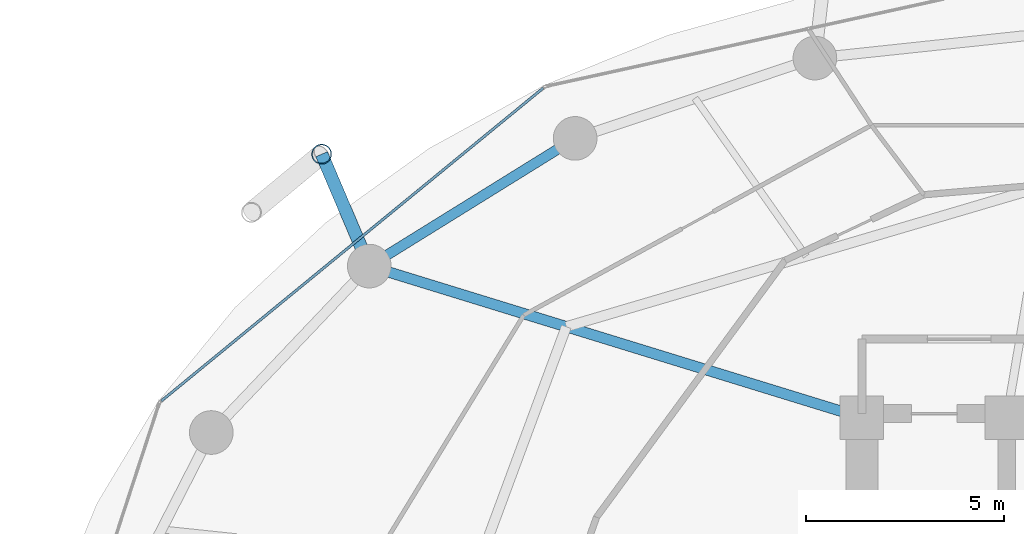
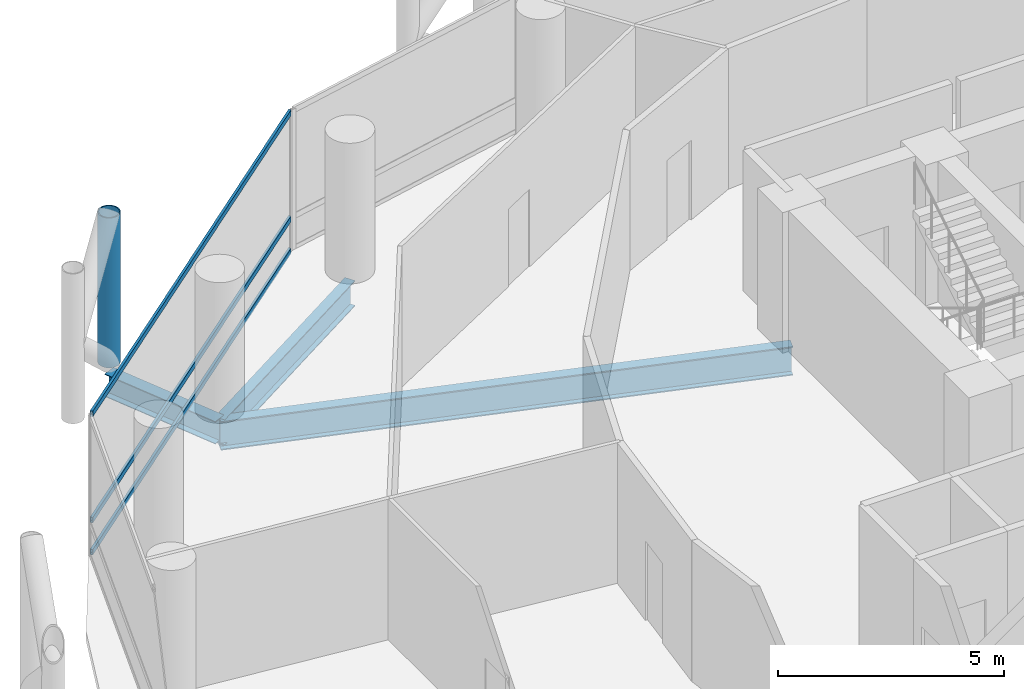
# One storey, part 14 of 25: 4 members, 3 beams, 1 element without a shape of its own.
"""IFC4 building model written with IfcOpenShell, lengths in metres."""

from ifc_helpers import new_model, si_unit, direction, frame, origin, origin_2d, place, context, subcontext, project, spatial, hollow_rectangle, hollow_circle, i_section, extrude, material, layer, layer_set, material_profile, profile_set, type_object, element, aggregate, save


model = new_model("IFC4")

# Units and contexts
model_context = context("Model", 3, precision=1e-05, world=origin(), true_north=direction((0.0, 1.0)))
body_context = subcontext(model_context, "Body", "Model", "MODEL_VIEW")
ifc_project = project(units=[si_unit("LENGTHUNIT", "METRE"), si_unit("AREAUNIT", "SQUARE_METRE"), si_unit("VOLUMEUNIT", "CUBIC_METRE"), si_unit("PLANEANGLEUNIT", "RADIAN"), si_unit("MASSUNIT", "GRAM", prefix="KILO")], contexts=[model_context])

# Site, building, storey
site_placement = place(None, origin())
site = spatial("IfcSite", under=ifc_project, at=site_placement, CompositionType="ELEMENT")
building_placement = place(site_placement, origin())
building = spatial("IfcBuilding", under=site, at=building_placement, Name="Nuhasar Tower", CompositionType="ELEMENT")
storey_placement = place(building_placement, frame((0.0, 0.0, 57.449951171875)))
storey = spatial("IfcBuildingStorey", under=building, at=storey_placement, Name="L13", CompositionType="ELEMENT", Elevation=57.449951171875)

# Beams
ifc_material_1 = material(Name="Steel S355", Category="steel")
ifc_material_profile_1 = material_profile(ifc_material_1, i_section(OverallWidth=0.26611328125, OverallDepth=0.779052734375, WebThickness=0.0166015625, FlangeThickness=0.030029296875, at=origin_2d()), Name="W30X148")
ifc_profile_set_1 = profile_set([ifc_material_profile_1], Name="Steel S355")
beam_type_1 = type_object("IfcBeamType", Name="BM-RAD-W30X148", PredefinedType="BEAM", material=ifc_profile_set_1)
beam_1_placement = place(storey_placement, frame((33.699951171875, 37.300048828125, -0.638916015625), z_axis=(-0.955789576103, 0.294051502653, 0.0), x_axis=(-0.294051502653, -0.955789576103, 0.0)))
element("IfcBeam", 1, at=beam_1_placement, inside=storey, type_object=beam_type_1, Name="L13 Radial Floor Girder 07", PredefinedType="BEAM", context=body_context, shape_type="SweptSolid", body=[
    extrude(i_section(OverallWidth=0.26611328125, OverallDepth=0.779052734375, WebThickness=0.0166015625, FlangeThickness=0.030029296875, at=origin_2d()), origin(), (0.0, 0.0, 1.0), 12.987060546875),
])
ifc_material_profile_2 = material_profile(ifc_material_1, i_section(OverallWidth=0.256103515625, OverallDepth=0.693115234375, WebThickness=0.014404296875, FlangeThickness=0.023681640625, at=origin_2d()), Name="W27X114")
ifc_profile_set_2 = profile_set([ifc_material_profile_2], Name="Steel S355")
beam_type_2 = type_object("IfcBeamType", Name="BM-RING-W27X114", PredefinedType="SPANDREL", material=ifc_profile_set_2)
beam_2_placement = place(storey_placement, frame((26.47509765625, 44.3369140625, -0.595947265625), z_axis=(-0.849795216549, -0.527112976439, 0.0), x_axis=(0.527112976439, -0.849795216549, 0.0)))
element("IfcBeam", 2, at=beam_2_placement, inside=storey, type_object=beam_type_2, Name="L13 Perimeter Ring Spandrel 09", PredefinedType="SPANDREL", context=body_context, shape_type="SweptSolid", body=[
    extrude(i_section(OverallWidth=0.256103515625, OverallDepth=0.693115234375, WebThickness=0.014404296875, FlangeThickness=0.023681640625, at=origin_2d()), origin(), (0.0, 0.0, 1.0), 6.10498046875),
])
ifc_material_profile_3 = material_profile(ifc_material_1, i_section(OverallWidth=0.323974609375, OverallDepth=0.611083984375, WebThickness=0.0126953125, FlangeThickness=0.01904296875, at=origin_2d()), Name="W24X104")
ifc_profile_set_3 = profile_set([ifc_material_profile_3], Name="Steel S355")
beam_type_3 = type_object("IfcBeamType", Name="BM-TIE-W24X104", PredefinedType="BEAM", material=ifc_profile_set_3)
beam_3_placement = place(storey_placement, frame((21.287109375, 41.118896484375, -0.554931640625), z_axis=(-0.391601084021, 0.920135093882, 0.0), x_axis=(-0.920135093882, -0.391601084021, 0.0)))
element("IfcBeam", 3, at=beam_3_placement, inside=storey, type_object=beam_type_3, Name="L13 Exoskeleton Node Tie Beam 05", PredefinedType="BEAM", context=body_context, shape_type="SweptSolid", body=[
    extrude(i_section(OverallWidth=0.323974609375, OverallDepth=0.611083984375, WebThickness=0.0126953125, FlangeThickness=0.01904296875, at=origin_2d()), origin(), (0.0, 0.0, 1.0), 3.06494140625),
])

# Curtain wall, members
ifc_material_2 = material(Name="Aluminium 6063-T6", Category="aluminium")
ifc_layer = layer(ifc_material_2, 0.199951171875)
ifc_layer_set = layer_set([ifc_layer], Name="Aluminium 6063-T6")
curtain_wall_type = type_object("IfcCurtainWallType", Name="CW-Z1-OFF", PredefinedType="NOTDEFINED", material=ifc_layer_set)
curtain_wall_placement = place(storey_placement, origin())
curtain_wall = element("IfcCurtainWall", 4, at=curtain_wall_placement, inside=storey, type_object=curtain_wall_type, Name="L13 Unitised Curtain Wall 05", PredefinedType="NOTDEFINED")
ifc_material_profile_4 = material_profile(ifc_material_2, hollow_rectangle(XDim=0.06494140625, YDim=0.14990234375, WallThickness=0.00439453125, at=origin_2d()), Name="CWT-2")
ifc_profile_set_4 = profile_set([ifc_material_profile_4], Name="Aluminium 6063-T6")
member_type_1 = type_object("IfcMemberType", Name="CW-TRN-S2", PredefinedType="USERDEFINED", material=ifc_profile_set_4)
member_1_placement = place(storey_placement, frame((25.669677734375, 45.603759765625, 0.032470703125), z_axis=(-0.773540851599, -0.633746440548, 0.0), x_axis=(0.633746440548, -0.773540851599, 0.0)))
member_1 = element("IfcMember", 5, at=member_1_placement, type_object=member_type_1, Name="CW-Z1 transom 1.1", ObjectType="TRANSOM", PredefinedType="USERDEFINED", context=body_context, shape_type="SweptSolid", body=[
    extrude(hollow_rectangle(XDim=0.06494140625, YDim=0.14990234375, WallThickness=0.00439453125, at=origin_2d()), origin(), (0.0, 0.0, 1.0), 12.43798828125),
])
member_2_placement = place(storey_placement, frame((25.669677734375, 45.603759765625, 0.900146484375), z_axis=(-0.773540851599, -0.633746440548, 0.0), x_axis=(0.633746440548, -0.773540851599, 0.0)))
member_2 = element("IfcMember", 6, at=member_2_placement, type_object=member_type_1, Name="CW-Z1 transom 1.2", ObjectType="TRANSOM", PredefinedType="USERDEFINED", context=body_context, shape_type="SweptSolid", body=[
    extrude(hollow_rectangle(XDim=0.06494140625, YDim=0.14990234375, WallThickness=0.00439453125, at=origin_2d()), origin(), (0.0, 0.0, 1.0), 12.43798828125),
])
member_3_placement = place(storey_placement, frame((25.669677734375, 45.603759765625, 3.767578125), z_axis=(-0.773540851599, -0.633746440548, 0.0), x_axis=(0.633746440548, -0.773540851599, 0.0)))
member_3 = element("IfcMember", 7, at=member_3_placement, type_object=member_type_1, Name="CW-Z1 transom 1.3", ObjectType="TRANSOM", PredefinedType="USERDEFINED", context=body_context, shape_type="SweptSolid", body=[
    extrude(hollow_rectangle(XDim=0.06494140625, YDim=0.14990234375, WallThickness=0.00439453125, at=origin_2d()), origin(), (0.0, 0.0, 1.0), 12.43798828125),
])
aggregate(curtain_wall, [member_1, member_2, member_3])

# Member
ifc_material_3 = material(Name="Steel S460", Category="steel")
ifc_material_profile_5 = material_profile(ifc_material_3, hollow_circle(Radius=0.25390625, WallThickness=0.025390625, at=origin_2d()), Name="HSS508X25.4")
ifc_profile_set_5 = profile_set([ifc_material_profile_5], Name="Steel S460")
member_type_2 = type_object("IfcMemberType", Name="EXO-BRONZE-508", PredefinedType="BRACE", material=ifc_profile_set_5)
member_4_placement = place(storey_placement, frame((20.0869140625, 43.93896484375, 0.0), z_axis=(0.0, 0.0, 1.0), x_axis=(1.0, 0.0, 0.0)))
element("IfcMember", 8, at=member_4_placement, inside=storey, type_object=member_type_2, Name="L13 Exoskeleton Chord Column EC-05A", PredefinedType="BRACE", context=body_context, shape_type="SweptSolid", body=[
    extrude(hollow_circle(Radius=0.25390625, WallThickness=0.025390625, at=origin_2d()), origin(), (0.0, 0.0, 1.0), 4.050048828125),
])

save(model, "model.ifc")
